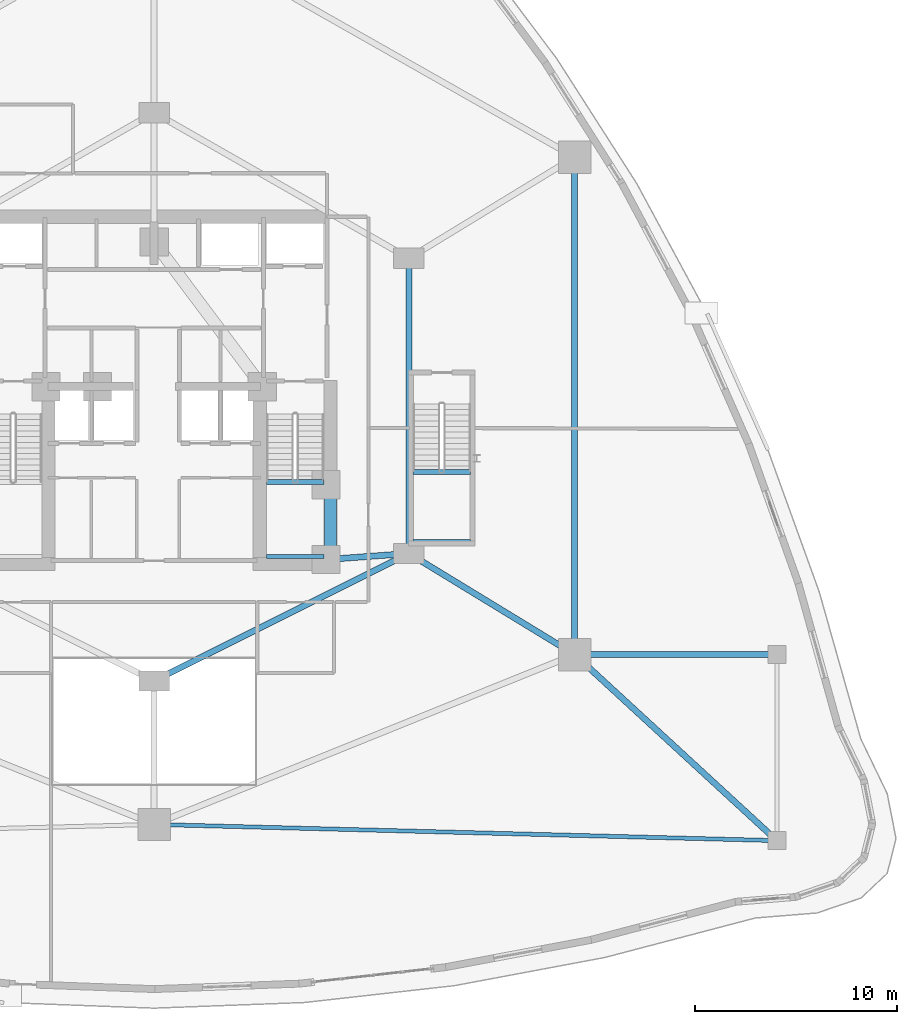
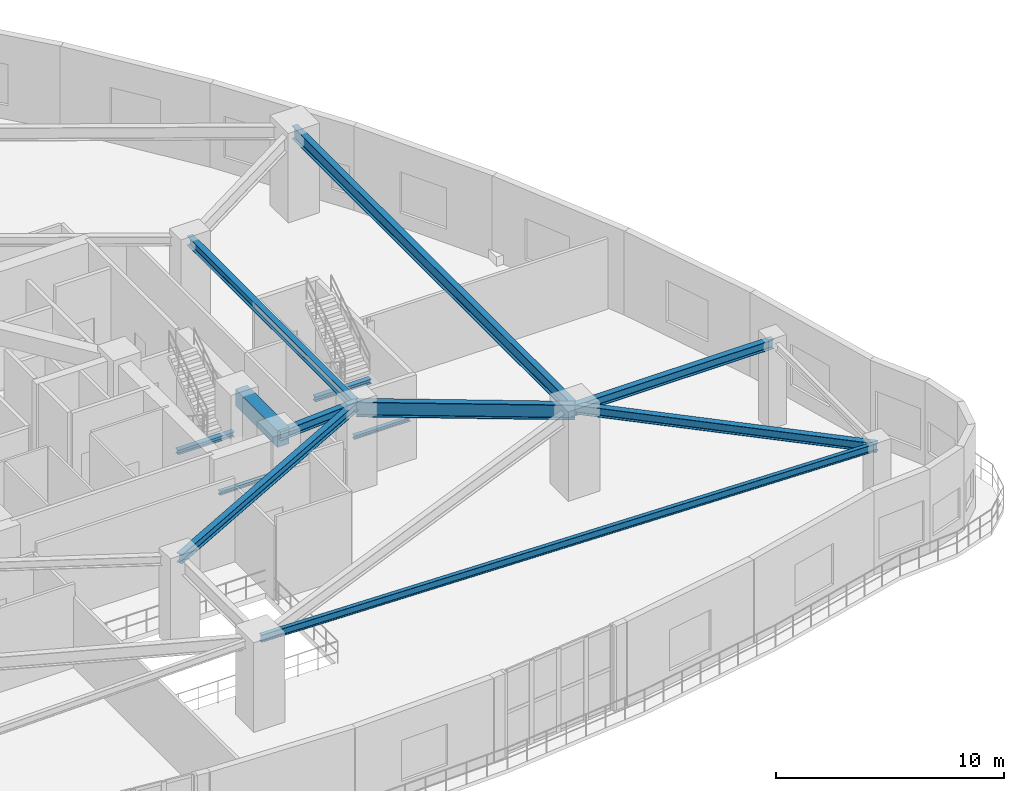
# One storey, part 9 of 25: 13 beams.
"""IFC4 building model written with IfcOpenShell, lengths in metres."""

from ifc_helpers import new_model, si_unit, direction, frame, origin, origin_2d, place, context, subcontext, project, spatial, rectangle, i_section, extrude, material, material_profile, profile_set, type_object, element, save


model = new_model("IFC4")

# Units and contexts
model_context = context("Model", 3, precision=1e-05, world=origin(), true_north=direction((0.0, 1.0)))
body_context = subcontext(model_context, "Body", "Model", "MODEL_VIEW")
ifc_project = project(units=[si_unit("LENGTHUNIT", "METRE"), si_unit("AREAUNIT", "SQUARE_METRE"), si_unit("VOLUMEUNIT", "CUBIC_METRE"), si_unit("PLANEANGLEUNIT", "RADIAN"), si_unit("MASSUNIT", "GRAM", prefix="KILO")], contexts=[model_context])

# Site, building, storey
site_placement = place(None, origin())
site = spatial("IfcSite", under=ifc_project, at=site_placement, CompositionType="ELEMENT")
building_placement = place(site_placement, origin())
building = spatial("IfcBuilding", under=site, at=building_placement, Name="Miruveldt Soraemaru", CompositionType="ELEMENT")
storey_placement = place(building_placement, frame((0.0, 0.0, 4.800048828125)))
storey = spatial("IfcBuildingStorey", under=building, at=storey_placement, Name="L02", CompositionType="ELEMENT", Elevation=4.800048828125)

# Beams
ifc_material_1 = material(Name="Concrete C60/75 (60 MPa)", Category="concrete")
ifc_material_profile_1 = material_profile(ifc_material_1, rectangle(XDim=0.60009765625, YDim=0.89990234375, at=origin_2d()), Name="Concrete C60/75 (60 MPa)", Category="concrete")
ifc_profile_set_1 = profile_set([ifc_material_profile_1], Name="Concrete C60/75 (60 MPa)")
beam_type_1 = type_object("IfcBeamType", Name="BM-RC-600x900", PredefinedType="BEAM", material=ifc_profile_set_1)
beam_1_placement = place(storey_placement, frame((52.72998046875, 35.5, 4.050048828125), z_axis=(0.0, 1.0, 0.0), x_axis=(-1.0, 0.0, 0.0)))
element("IfcBeam", 1, at=beam_1_placement, inside=storey, type_object=beam_type_1, Name="L02 Core Tie Beam 3", PredefinedType="BEAM", context=body_context, shape_type="SweptSolid", body=[
    extrude(rectangle(XDim=0.60009765625, YDim=0.89990234375, at=origin_2d()), origin(), (0.0, 0.0, 1.0), 3.699951171875),
])
ifc_material_2 = material(Name="Steel SM355 (355 MPa)", Category="steel")
ifc_material_profile_2 = material_profile(ifc_material_2, i_section(OverallWidth=0.199951171875, OverallDepth=0.39990234375, WebThickness=0.008056640625, FlangeThickness=0.012939453125, FilletRadius=0.01611328125, at=origin_2d()), Name="Steel SM355 (355 MPa)", Category="steel")
ifc_profile_set_2 = profile_set([ifc_material_profile_2], Name="Steel SM355 (355 MPa)")
beam_type_2 = type_object("IfcBeamType", Name="BM-ST-H400", PredefinedType="JOIST", material=ifc_profile_set_2)
beam_2_placement = place(storey_placement, frame((74.800048828125, 21.60009765625, 4.300048828125), z_axis=(-0.999663011165, 0.025958892686, 0.0), x_axis=(-0.025958892686, -0.999663011165, 0.0)))
element("IfcBeam", 2, at=beam_2_placement, inside=storey, type_object=beam_type_2, Name="L02 Podium South-East Tie Beam", PredefinedType="JOIST", context=body_context, shape_type="SweptSolid", body=[
    extrude(i_section(OverallWidth=0.199951171875, OverallDepth=0.39990234375, WebThickness=0.008056640625, FlangeThickness=0.012939453125, FilletRadius=0.01611328125, at=origin_2d()), origin(), (0.0, 0.0, 1.0), 30.810546875),
])
ifc_material_profile_3 = material_profile(ifc_material_2, i_section(OverallWidth=0.300048828125, OverallDepth=0.488037109375, WebThickness=0.010986328125, FlangeThickness=0.01806640625, FilletRadius=0.02587890625, at=origin_2d()), Name="Steel SM355 (355 MPa)", Category="steel")
ifc_profile_set_3 = profile_set([ifc_material_profile_3], Name="Steel SM355 (355 MPa)")
beam_type_3 = type_object("IfcBeamType", Name="BM-ST-H488", PredefinedType="BEAM", material=ifc_profile_set_3)
beam_3_placement = place(storey_placement, frame((56.60009765625, 50.39990234375, 4.255859375), z_axis=(0.0, -1.0, 0.0), x_axis=(1.0, 0.0, 0.0)))
element("IfcBeam", 3, at=beam_3_placement, inside=storey, type_object=beam_type_3, Name="L02 Inner Ring Girder 2", PredefinedType="BEAM", context=body_context, shape_type="SweptSolid", body=[
    extrude(i_section(OverallWidth=0.300048828125, OverallDepth=0.488037109375, WebThickness=0.010986328125, FlangeThickness=0.01806640625, FilletRadius=0.02587890625, at=origin_2d()), origin(), (0.0, 0.0, 1.0), 14.599853515625),
])
beam_4_placement = place(storey_placement, frame((56.60009765625, 35.800048828125, 4.255859375), z_axis=(-0.894427191, -0.4472135955, 0.0), x_axis=(0.4472135955, -0.894427191, 0.0)))
element("IfcBeam", 4, at=beam_4_placement, inside=storey, type_object=beam_type_3, Name="L02 Inner Ring Girder 3", PredefinedType="BEAM", context=body_context, shape_type="SweptSolid", body=[
    extrude(i_section(OverallWidth=0.300048828125, OverallDepth=0.488037109375, WebThickness=0.010986328125, FlangeThickness=0.01806640625, FilletRadius=0.02587890625, at=origin_2d()), origin(), (0.0, 0.0, 1.0), 14.08740234375),
])
beam_5_placement = place(storey_placement, frame((52.5, 35.5, 4.255859375), z_axis=(0.997332985605, 0.072985723431, 0.0), x_axis=(-0.072985723431, 0.997332985605, 0.0)))
element("IfcBeam", 5, at=beam_5_placement, inside=storey, type_object=beam_type_3, Name="L02 Core-to-Inner Radial Girder 3", PredefinedType="BEAM", context=body_context, shape_type="SweptSolid", body=[
    extrude(i_section(OverallWidth=0.300048828125, OverallDepth=0.488037109375, WebThickness=0.010986328125, FlangeThickness=0.01806640625, FilletRadius=0.02587890625, at=origin_2d()), origin(), (0.0, 0.0, 1.0), 4.111083984375),
])
beam_6_placement = place(storey_placement, frame((64.800048828125, 30.800048828125, 4.255859375), z_axis=(1.0, 0.0, 0.0), x_axis=(0.0, 1.0, 0.0)))
element("IfcBeam", 6, at=beam_6_placement, inside=storey, type_object=beam_type_3, Name="L02 Podium East Bay Girder 1", PredefinedType="BEAM", context=body_context, shape_type="SweptSolid", body=[
    extrude(i_section(OverallWidth=0.300048828125, OverallDepth=0.488037109375, WebThickness=0.010986328125, FlangeThickness=0.01806640625, FilletRadius=0.02587890625, at=origin_2d()), origin(), (0.0, 0.0, 1.0), 10.0),
])
beam_7_placement = place(storey_placement, frame((74.800048828125, 21.60009765625, 4.255859375), z_axis=(-0.735932802242, 0.677054584641, 0.0), x_axis=(-0.677054584641, -0.735932802242, 0.0)))
element("IfcBeam", 7, at=beam_7_placement, inside=storey, type_object=beam_type_3, Name="L02 Podium East Bay Tie Girder", PredefinedType="BEAM", context=body_context, shape_type="SweptSolid", body=[
    extrude(i_section(OverallWidth=0.300048828125, OverallDepth=0.488037109375, WebThickness=0.010986328125, FlangeThickness=0.01806640625, FilletRadius=0.02587890625, at=origin_2d()), origin(), (0.0, 0.0, 1.0), 13.588134765625),
])
ifc_material_profile_4 = material_profile(ifc_material_2, i_section(OverallWidth=0.300048828125, OverallDepth=0.699951171875, WebThickness=0.012939453125, FlangeThickness=0.02392578125, FilletRadius=0.028076171875, at=origin_2d()), Name="Steel SM355 (355 MPa)", Category="steel")
ifc_profile_set_4 = profile_set([ifc_material_profile_4], Name="Steel SM355 (355 MPa)")
beam_type_4 = type_object("IfcBeamType", Name="BM-ST-H700", PredefinedType="BEAM", material=ifc_profile_set_4)
beam_8_placement = place(storey_placement, frame((64.800048828125, 55.39990234375, 4.14990234375), z_axis=(0.0, -1.0, 0.0), x_axis=(1.0, 0.0, 0.0)))
element("IfcBeam", 8, at=beam_8_placement, inside=storey, type_object=beam_type_4, Name="L02 Podium Ring Girder 2", PredefinedType="BEAM", context=body_context, shape_type="SweptSolid", body=[
    extrude(i_section(OverallWidth=0.300048828125, OverallDepth=0.699951171875, WebThickness=0.012939453125, FlangeThickness=0.02392578125, FilletRadius=0.028076171875, at=origin_2d()), origin(), (0.0, 0.0, 1.0), 24.599853515625),
])
ifc_material_3 = material(Name="Steel S460 (460 MPa)", Category="steel")
ifc_material_profile_5 = material_profile(ifc_material_3, i_section(OverallWidth=0.300048828125, OverallDepth=0.800048828125, WebThickness=0.013916015625, FlangeThickness=0.02587890625, FilletRadius=0.028076171875, at=origin_2d()), Name="Steel S460 (460 MPa)", Category="steel")
ifc_profile_set_5 = profile_set([ifc_material_profile_5], Name="Steel S460 (460 MPa)")
beam_type_5 = type_object("IfcBeamType", Name="BM-ST-H800", PredefinedType="BEAM", material=ifc_profile_set_5)
beam_9_placement = place(storey_placement, frame((56.60009765625, 35.800048828125, 4.099853515625), z_axis=(0.853794797843, -0.520609684098, 0.0), x_axis=(0.520609684098, 0.853794797843, 0.0)))
element("IfcBeam", 9, at=beam_9_placement, inside=storey, type_object=beam_type_5, Name="L02 Podium Radial Girder 3", PredefinedType="BEAM", context=body_context, shape_type="SweptSolid", body=[
    extrude(i_section(OverallWidth=0.300048828125, OverallDepth=0.800048828125, WebThickness=0.013916015625, FlangeThickness=0.02587890625, FilletRadius=0.028076171875, at=origin_2d()), origin(), (0.0, 0.0, 1.0), 9.60400390625),
])
ifc_material_profile_6 = material_profile(ifc_material_2, i_section(OverallWidth=0.199951171875, OverallDepth=0.199951171875, WebThickness=0.008056640625, FlangeThickness=0.011962890625, FilletRadius=0.012939453125, at=origin_2d()), Name="Steel SM355 (355 MPa)", Category="steel")
ifc_profile_set_6 = profile_set([ifc_material_profile_6], Name="Steel SM355 (355 MPa)")
beam_type_6 = type_object("IfcBeamType", Name="BM-ST-LND200", PredefinedType="BEAM", material=ifc_profile_set_6)
for number, where, z_axis, x_axis, name in (
    (10, (49.550048828125, 35.64990234375, 2.099853515625), (1.0, 0.0, 0.0), (0.0, 1.0, 0.0), "L02 ST2 Landing End Beam 1B"),
    (11, (56.800048828125, 36.39990234375, 2.099853515625), (1.0, 0.0, 0.0), (0.0, 1.0, 0.0), "L02 ST4 Landing End Beam 1B"),
):
    element("IfcBeam", number, at=place(storey_placement, frame(where, z_axis=z_axis, x_axis=x_axis)), inside=storey, type_object=beam_type_6, Name=name, PredefinedType="BEAM", context=body_context, shape_type="SweptSolid", body=[
        extrude(i_section(OverallWidth=0.199951171875, OverallDepth=0.199951171875, WebThickness=0.008056640625, FlangeThickness=0.011962890625, FilletRadius=0.012939453125, at=origin_2d()), origin(), (0.0, 0.0, 1.0), 2.849853515625),
    ])
ifc_material_profile_7 = material_profile(ifc_material_2, i_section(OverallWidth=0.25, OverallDepth=0.25, WebThickness=0.009033203125, FlangeThickness=0.013916015625, FilletRadius=0.01611328125, at=origin_2d()), Name="Steel SM355 (355 MPa)", Category="steel")
ifc_profile_set_7 = profile_set([ifc_material_profile_7], Name="Steel SM355 (355 MPa)")
beam_type_7 = type_object("IfcBeamType", Name="BM-ST-LND250", PredefinedType="BEAM", material=ifc_profile_set_7)
for number, where, z_axis, x_axis, name in (
    (12, (49.550048828125, 39.340087890625, 2.074951171875), (1.0, 0.0, 0.0), (0.0, 1.0, 0.0), "L02 ST2 Landing Support Beam 1A"),
    (13, (56.800048828125, 39.840087890625, 2.074951171875), (1.0, 0.0, 0.0), (0.0, 1.0, 0.0), "L02 ST4 Landing Support Beam 1A"),
):
    element("IfcBeam", number, at=place(storey_placement, frame(where, z_axis=z_axis, x_axis=x_axis)), inside=storey, type_object=beam_type_7, Name=name, PredefinedType="BEAM", context=body_context, shape_type="SweptSolid", body=[
        extrude(i_section(OverallWidth=0.25, OverallDepth=0.25, WebThickness=0.009033203125, FlangeThickness=0.013916015625, FilletRadius=0.01611328125, at=origin_2d()), origin(), (0.0, 0.0, 1.0), 2.849853515625),
    ])

save(model, "model.ifc")
